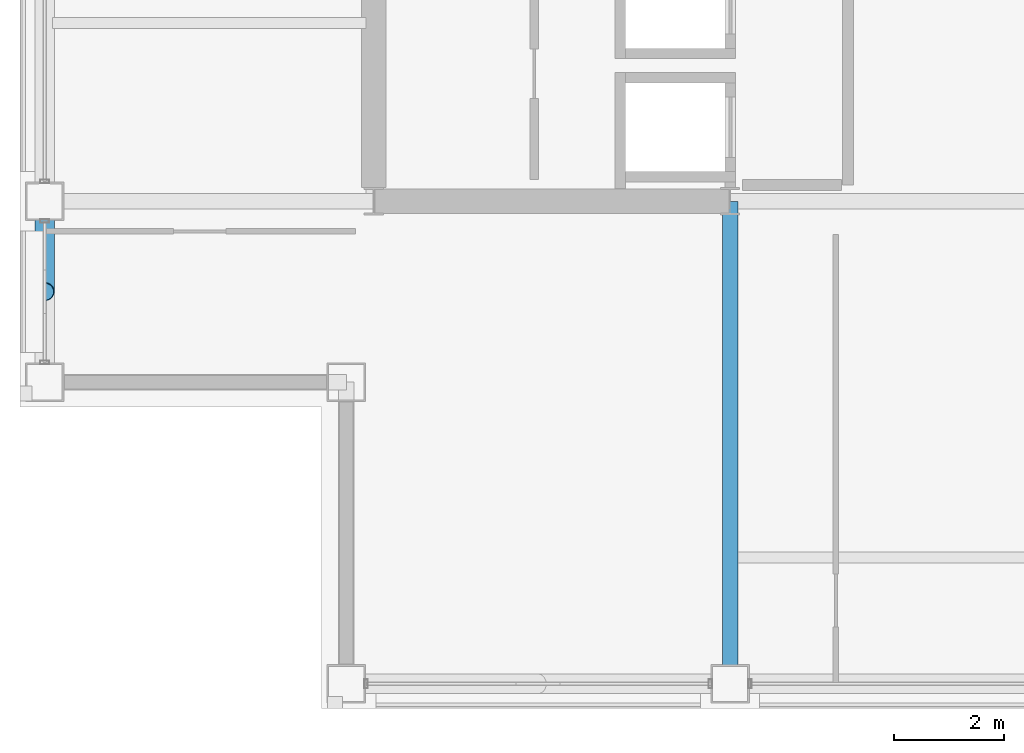
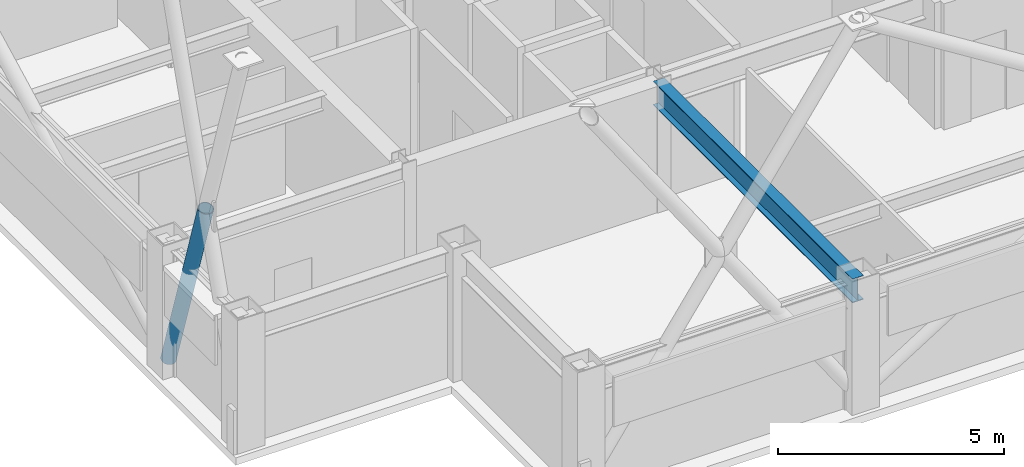
# One storey, part 5 of 33: 1 beam, 1 member.
"""IFC4 building model written with IfcOpenShell, lengths in metres."""

from ifc_helpers import new_model, si_unit, direction, frame, origin, origin_2d, place, context, subcontext, project, spatial, hollow_circle, i_section, extrude, material, material_profile, profile_set, type_object, element, save


model = new_model("IFC4")

# Units and contexts
model_context = context("Model", 3, precision=1e-05, world=origin(), true_north=direction((0.0, 1.0)))
body_context = subcontext(model_context, "Body", "Model", "MODEL_VIEW")
ifc_project = project(units=[si_unit("LENGTHUNIT", "METRE"), si_unit("AREAUNIT", "SQUARE_METRE"), si_unit("VOLUMEUNIT", "CUBIC_METRE"), si_unit("PLANEANGLEUNIT", "RADIAN"), si_unit("MASSUNIT", "GRAM", prefix="KILO")], contexts=[model_context])

# Site, building, storey
site_placement = place(None, origin())
site = spatial("IfcSite", under=ifc_project, at=site_placement, CompositionType="ELEMENT")
building_placement = place(site_placement, origin())
building = spatial("IfcBuilding", under=site, at=building_placement, Name="Brelmoor Portico Tower", CompositionType="ELEMENT")
storey_placement = place(building_placement, frame((0.0, 0.0, 183.89990234375)))
storey = spatial("IfcBuildingStorey", under=building, at=storey_placement, Name="L48", CompositionType="ELEMENT", Elevation=183.89990234375)

# Beam
ifc_material = material(Name="Steel Q355B", Category="steel")
ifc_material_profile_1 = material_profile(ifc_material, i_section(OverallWidth=0.280029296875, OverallDepth=0.64990234375, WebThickness=0.012939453125, FlangeThickness=0.02197265625, at=origin_2d()), Name="HN 650x280x13x22")
ifc_profile_set_1 = profile_set([ifc_material_profile_1], Name="Steel Q355B")
beam_type = type_object("IfcBeamType", Name="BM-PG-650", PredefinedType="BEAM", material=ifc_profile_set_1)
beam_placement = place(storey_placement, frame((-8.050048828125, -18.550048828125, 3.0751953125), z_axis=(0.0, 1.0, 0.0), x_axis=(-1.0, 0.0, 0.0)))
element("IfcBeam", 1, at=beam_placement, inside=storey, type_object=beam_type, Name="L48 Primary Floor Girder PG-03", PredefinedType="BEAM", context=body_context, shape_type="SweptSolid", body=[
    extrude(i_section(OverallWidth=0.280029296875, OverallDepth=0.64990234375, WebThickness=0.012939453125, FlangeThickness=0.02197265625, at=origin_2d()), origin(), (0.0, 0.0, 1.0), 8.800048828125),
])

# Member
ifc_material_profile_2 = material_profile(ifc_material, hollow_circle(Radius=0.177978515625, WallThickness=0.01611328125, at=origin_2d()), Name="CHS 356x16")
ifc_profile_set_2 = profile_set([ifc_material_profile_2], Name="Steel Q355B")
member_type = type_object("IfcMemberType", Name="MB-BELT-DIAG2", PredefinedType="BRACE", material=ifc_profile_set_2)
member_placement = place(storey_placement, frame((-20.550048828125, -9.75, 0.25), z_axis=(0.0, -0.310556017859, 0.95055507982), x_axis=(1.0, 0.0, 0.0)))
element("IfcMember", 2, at=member_placement, inside=storey, type_object=member_type, Name="L48 Split Mega-X Brace 111B1", PredefinedType="BRACE", context=body_context, shape_type="SweptSolid", body=[
    extrude(hollow_circle(Radius=0.177978515625, WallThickness=0.01611328125, at=origin_2d()), origin(), (0.0, 0.0, 1.0), 5.312744140625),
])

save(model, "model.ifc")
